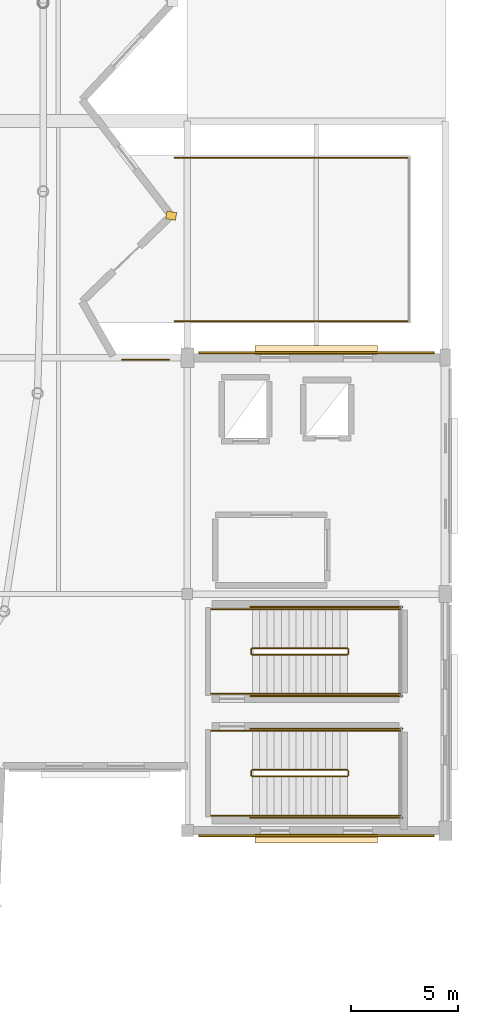
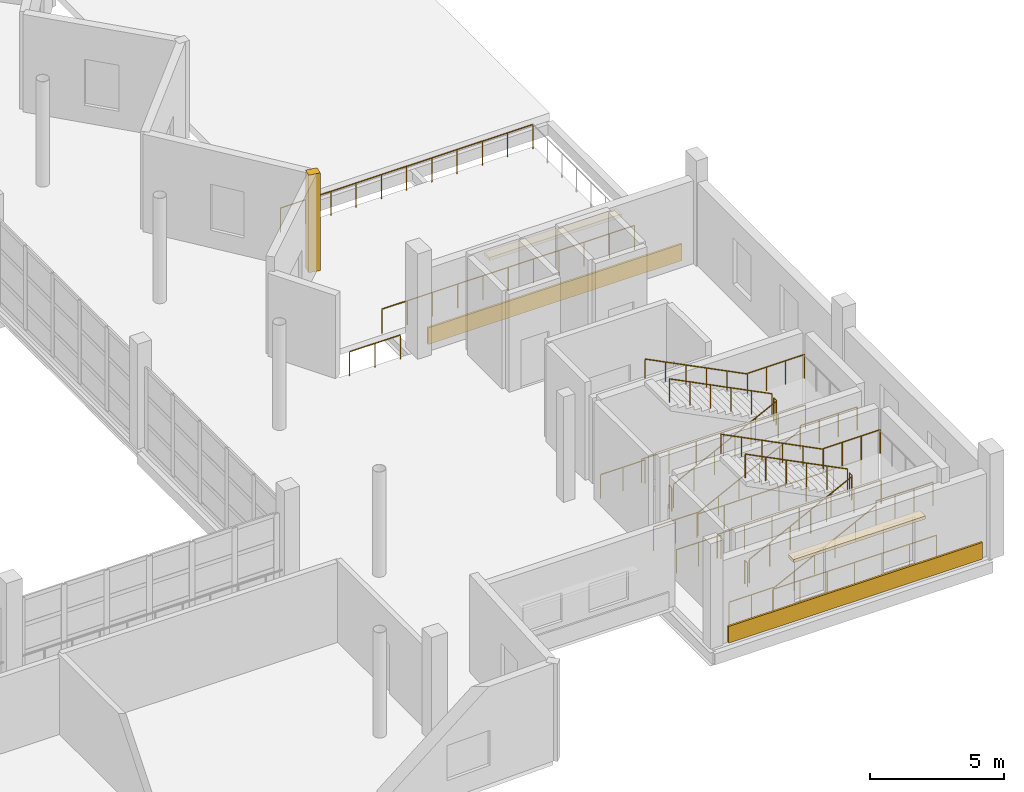
# One storey, part 48 of 53: 27 railings, 5 coverings.
"""IFC4 building model written with IfcOpenShell, lengths in metres."""

from ifc_helpers import new_model, si_unit, direction, frame, origin, origin_2d, place, context, subcontext, project, spatial, rectangle, circle, extrude, material, layer, layer_set, type_object, element, save


model = new_model("IFC4")

# Units and contexts
model_context = context("Model", 3, precision=1e-05, world=origin(), true_north=direction((0.0, 1.0)))
body_context = subcontext(model_context, "Body", "Model", "MODEL_VIEW")
ifc_project = project(units=[si_unit("LENGTHUNIT", "METRE"), si_unit("AREAUNIT", "SQUARE_METRE"), si_unit("VOLUMEUNIT", "CUBIC_METRE"), si_unit("PLANEANGLEUNIT", "RADIAN"), si_unit("MASSUNIT", "GRAM", prefix="KILO")], contexts=[model_context])

# Site, building, storey
site_placement = place(None, origin())
site = spatial("IfcSite", under=ifc_project, at=site_placement, CompositionType="ELEMENT")
building_placement = place(site_placement, origin())
building = spatial("IfcBuilding", under=site, at=building_placement, Name="Luwafu Chhajja Arena", CompositionType="ELEMENT")
storey_placement = place(building_placement, frame((0.0, 0.0, 19.5)))
storey = spatial("IfcBuildingStorey", under=building, at=storey_placement, Name="L04", CompositionType="ELEMENT", Elevation=19.5)

# Coverings
ifc_material_1 = material(Name="Red laterite sandstone cladding", Category="masonry")
ifc_layer = layer(ifc_material_1, 0.074951171875, Name="Red laterite sandstone cladding")
ifc_layer_set = layer_set([ifc_layer], Name="Red laterite sandstone cladding")
covering_type = type_object("IfcCoveringType", Name="Dressed Red-Laterite Sandstone Cladding", PredefinedType="CLADDING", material=ifc_layer_set)
covering_1_placement = place(storey_placement, frame((151.249755859375, 39.603759765625, 0.0), z_axis=(0.0, 0.0, 1.0), x_axis=(0.982532090849, -0.186093230539, 0.0)))
element("IfcCovering", 1, at=covering_1_placement, inside=storey, type_object=covering_type, Name="L04 Pleated Bowl Sandstone Ridge Fin 32", PredefinedType="CLADDING", context=body_context, shape_type="SweptSolid", body=[
    extrude(rectangle(XDim=0.4599609375, YDim=0.360107421875, at=origin_2d()), origin(), (0.0, 0.0, 1.0), 4.455078125),
])
covering_2_placement = place(storey_placement, frame((158.0, 10.76806640625, 0.0), z_axis=(0.0, 0.0, 1.0), x_axis=(1.0, 0.0, 0.0)))
element("IfcCovering", 2, at=covering_2_placement, inside=storey, type_object=covering_type, Name="L04 Red-Laterite Sandstone Plinth Cladding 118", PredefinedType="CLADDING", context=body_context, shape_type="SweptSolid", body=[
    extrude(rectangle(XDim=10.9599609375, YDim=0.0849609375, at=origin_2d()), origin(), (0.0, 0.0, 1.0), 0.760009765625),
])
covering_3_placement = place(storey_placement, frame((158.0, 10.639892578125, 2.93017578125), z_axis=(0.0, 0.0, 1.0), x_axis=(1.0, 0.0, 0.0)))
element("IfcCovering", 3, at=covering_3_placement, inside=storey, type_object=covering_type, Name="L04 Mughal Sandstone Window Chhajja Hood 0110", PredefinedType="CLADDING", context=body_context, shape_type="SweptSolid", body=[
    extrude(rectangle(XDim=5.703369140625, YDim=0.419921875, at=origin_2d()), origin(), (0.0, 0.0, 1.0), 0.139892578125),
])
covering_4_placement = place(storey_placement, frame((158.0, 33.23193359375, 0.0), z_axis=(0.0, 0.0, 1.0), x_axis=(1.0, 0.0, 0.0)))
element("IfcCovering", 4, at=covering_4_placement, inside=storey, type_object=covering_type, Name="L04 Red-Laterite Sandstone Plinth Cladding 120", PredefinedType="CLADDING", context=body_context, shape_type="SweptSolid", body=[
    extrude(rectangle(XDim=10.9599609375, YDim=0.0849609375, at=origin_2d()), origin(), (0.0, 0.0, 1.0), 0.760009765625),
])
covering_5_placement = place(storey_placement, frame((158.0, 33.360107421875, 2.93017578125), z_axis=(0.0, 0.0, 1.0), x_axis=(1.0, 0.0, 0.0)))
element("IfcCovering", 5, at=covering_5_placement, inside=storey, type_object=covering_type, Name="L04 Mughal Sandstone Window Chhajja Hood 0112", PredefinedType="CLADDING", context=body_context, shape_type="SweptSolid", body=[
    extrude(rectangle(XDim=5.703369140625, YDim=0.419921875, at=origin_2d()), origin(), (0.0, 0.0, 1.0), 0.139892578125),
])

# Railings
ifc_material_2 = material(Name="Stainless steel handrail", Category="steel")
railing_type_1 = type_object("IfcRailingType", Name="Stair Pitch Wall Handrail 920", PredefinedType="HANDRAIL", material=ifc_material_2)
railing_1_placement = place(storey_placement, frame((155.02001953125, 11.699951171875, 0.17138671875)))
element("IfcRailing", 6, at=railing_1_placement, inside=storey, type_object=railing_type_1, Name="L04 ST-03 stair handrail 1", PredefinedType="HANDRAIL", context=body_context, shape_type="SweptSolid", body=[
    extrude(circle(Radius=0.02392578125, at=origin_2d()), frame((0.0, 0.0, 0.8759765625), z_axis=(0.89292277971, 0.0, 0.450209850486), x_axis=(0.0, 1.0, 0.0)), (0.0, 0.0, 1.0), 4.949951171875),
    extrude(circle(Radius=0.02099609375, at=origin_2d()), origin(), (0.0, 0.0, 1.0), 0.851806640625),
    extrude(circle(Radius=0.02099609375, at=origin_2d()), frame((0.884033203125, 0.0, 0.44580078125)), (0.0, 0.0, 1.0), 0.851806640625),
    extrude(circle(Radius=0.02099609375, at=origin_2d()), frame((1.76806640625, 0.0, 0.891357421875)), (0.0, 0.0, 1.0), 0.851806640625),
    extrude(circle(Radius=0.02099609375, at=origin_2d()), frame((2.65185546875, 0.0, 1.337158203125)), (0.0, 0.0, 1.0), 0.851806640625),
    extrude(circle(Radius=0.02099609375, at=origin_2d()), frame((3.535888671875, 0.0, 1.78271484375)), (0.0, 0.0, 1.0), 0.851806640625),
    extrude(circle(Radius=0.02099609375, at=origin_2d()), frame((4.419921875, 0.0, 2.228515625)), (0.0, 0.0, 1.0), 0.851806640625),
])
railing_2_placement = place(storey_placement, frame((159.43994140625, 15.639892578125, 2.571533203125)))
element("IfcRailing", 7, at=railing_2_placement, inside=storey, type_object=railing_type_1, Name="L04 ST-03 stair handrail 2", PredefinedType="HANDRAIL", context=body_context, shape_type="SweptSolid", body=[
    extrude(circle(Radius=0.02392578125, at=origin_2d()), frame((0.0, 0.0, 0.8759765625), z_axis=(-0.89292277971, 0.0, 0.450209850486), x_axis=(0.0, -1.0, 0.0)), (0.0, 0.0, 1.0), 4.949951171875),
    extrude(circle(Radius=0.02099609375, at=origin_2d()), origin(), (0.0, 0.0, 1.0), 0.851806640625),
    extrude(circle(Radius=0.02099609375, at=origin_2d()), frame((-0.884033203125, 0.0, 0.44580078125)), (0.0, 0.0, 1.0), 0.851806640625),
    extrude(circle(Radius=0.02099609375, at=origin_2d()), frame((-1.76806640625, 0.0, 0.891357421875)), (0.0, 0.0, 1.0), 0.851806640625),
    extrude(circle(Radius=0.02099609375, at=origin_2d()), frame((-2.65185546875, 0.0, 1.337158203125)), (0.0, 0.0, 1.0), 0.851806640625),
    extrude(circle(Radius=0.02099609375, at=origin_2d()), frame((-3.535888671875, 0.0, 1.78271484375)), (0.0, 0.0, 1.0), 0.851806640625),
    extrude(circle(Radius=0.02099609375, at=origin_2d()), frame((-4.419921875, 0.0, 2.228515625)), (0.0, 0.0, 1.0), 0.851806640625),
])
railing_3_placement = place(storey_placement, frame((155.02001953125, 17.360107421875, 0.17138671875)))
element("IfcRailing", 8, at=railing_3_placement, inside=storey, type_object=railing_type_1, Name="L04 ST-04 stair handrail 1", PredefinedType="HANDRAIL", context=body_context, shape_type="SweptSolid", body=[
    extrude(circle(Radius=0.02392578125, at=origin_2d()), frame((0.0, 0.0, 0.8759765625), z_axis=(0.89292277971, 0.0, 0.450209850486), x_axis=(0.0, 1.0, 0.0)), (0.0, 0.0, 1.0), 4.949951171875),
    extrude(circle(Radius=0.02099609375, at=origin_2d()), origin(), (0.0, 0.0, 1.0), 0.851806640625),
    extrude(circle(Radius=0.02099609375, at=origin_2d()), frame((0.884033203125, 0.0, 0.44580078125)), (0.0, 0.0, 1.0), 0.851806640625),
    extrude(circle(Radius=0.02099609375, at=origin_2d()), frame((1.76806640625, 0.0, 0.891357421875)), (0.0, 0.0, 1.0), 0.851806640625),
    extrude(circle(Radius=0.02099609375, at=origin_2d()), frame((2.65185546875, 0.0, 1.337158203125)), (0.0, 0.0, 1.0), 0.851806640625),
    extrude(circle(Radius=0.02099609375, at=origin_2d()), frame((3.535888671875, 0.0, 1.78271484375)), (0.0, 0.0, 1.0), 0.851806640625),
    extrude(circle(Radius=0.02099609375, at=origin_2d()), frame((4.419921875, 0.0, 2.228515625)), (0.0, 0.0, 1.0), 0.851806640625),
])
railing_4_placement = place(storey_placement, frame((159.43994140625, 21.300048828125, 2.571533203125)))
element("IfcRailing", 9, at=railing_4_placement, inside=storey, type_object=railing_type_1, Name="L04 ST-04 stair handrail 2", PredefinedType="HANDRAIL", context=body_context, shape_type="SweptSolid", body=[
    extrude(circle(Radius=0.02392578125, at=origin_2d()), frame((0.0, 0.0, 0.8759765625), z_axis=(-0.89292277971, 0.0, 0.450209850486), x_axis=(0.0, -1.0, 0.0)), (0.0, 0.0, 1.0), 4.949951171875),
    extrude(circle(Radius=0.02099609375, at=origin_2d()), origin(), (0.0, 0.0, 1.0), 0.851806640625),
    extrude(circle(Radius=0.02099609375, at=origin_2d()), frame((-0.884033203125, 0.0, 0.44580078125)), (0.0, 0.0, 1.0), 0.851806640625),
    extrude(circle(Radius=0.02099609375, at=origin_2d()), frame((-1.76806640625, 0.0, 0.891357421875)), (0.0, 0.0, 1.0), 0.851806640625),
    extrude(circle(Radius=0.02099609375, at=origin_2d()), frame((-2.65185546875, 0.0, 1.337158203125)), (0.0, 0.0, 1.0), 0.851806640625),
    extrude(circle(Radius=0.02099609375, at=origin_2d()), frame((-3.535888671875, 0.0, 1.78271484375)), (0.0, 0.0, 1.0), 0.851806640625),
    extrude(circle(Radius=0.02099609375, at=origin_2d()), frame((-4.419921875, 0.0, 2.228515625)), (0.0, 0.0, 1.0), 0.851806640625),
])
ifc_material_3 = material(Name="Stainless steel balustrade", Category="steel")
railing_type_2 = type_object("IfcRailingType", Name="Stair and Terrace Guard Balustrade 1100", PredefinedType="BALUSTRADE", material=ifc_material_3)
railing_5_placement = place(storey_placement, frame((155.02001953125, 13.52001953125, 0.17138671875)))
element("IfcRailing", 10, at=railing_5_placement, inside=storey, type_object=railing_type_2, Name="L04 ST-03 stair guard 1", PredefinedType="BALUSTRADE", context=body_context, shape_type="SweptSolid", body=[
    extrude(circle(Radius=0.02392578125, at=origin_2d()), frame((0.0, 0.0, 1.076171875), z_axis=(0.89292277971, 0.0, 0.450209850486), x_axis=(0.0, 1.0, 0.0)), (0.0, 0.0, 1.0), 4.949951171875),
    extrude(circle(Radius=0.02099609375, at=origin_2d()), origin(), (0.0, 0.0, 1.0), 1.052001953125),
    extrude(circle(Radius=0.02099609375, at=origin_2d()), frame((0.884033203125, 0.0, 0.44580078125)), (0.0, 0.0, 1.0), 1.052001953125),
    extrude(circle(Radius=0.02099609375, at=origin_2d()), frame((1.76806640625, 0.0, 0.891357421875)), (0.0, 0.0, 1.0), 1.052001953125),
    extrude(circle(Radius=0.02099609375, at=origin_2d()), frame((2.65185546875, 0.0, 1.337158203125)), (0.0, 0.0, 1.0), 1.052001953125),
    extrude(circle(Radius=0.02099609375, at=origin_2d()), frame((3.535888671875, 0.0, 1.78271484375)), (0.0, 0.0, 1.0), 1.052001953125),
    extrude(circle(Radius=0.02099609375, at=origin_2d()), frame((4.419921875, 0.0, 2.228515625)), (0.0, 0.0, 1.0), 1.052001953125),
])
railing_6_placement = place(storey_placement, frame((159.489990234375, 13.570068359375, 2.39990234375)))
element("IfcRailing", 11, at=railing_6_placement, inside=storey, type_object=railing_type_2, Name="L04 ST-03 stair guard 2", PredefinedType="BALUSTRADE", context=body_context, shape_type="SweptSolid", body=[
    extrude(circle(Radius=0.02392578125, at=origin_2d()), frame((0.0, 0.0, 1.076171875), z_axis=(0.0, 1.0, 0.0), x_axis=(-1.0, 0.0, 0.0)), (0.0, 0.0, 1.0), 0.199951171875),
    extrude(circle(Radius=0.02099609375, at=origin_2d()), origin(), (0.0, 0.0, 1.0), 1.052001953125),
    extrude(circle(Radius=0.02099609375, at=origin_2d()), frame((0.0, 0.199951171875, 0.0)), (0.0, 0.0, 1.0), 1.052001953125),
])
for number, where, name in (
    (12, (159.43994140625, 11.699951171875, 2.39990234375), "L04 ST-03 stair guard 3"),
    (13, (159.43994140625, 15.639892578125, 2.39990234375), "L04 ST-03 stair guard 4"),
):
    element("IfcRailing", number, at=place(storey_placement, frame(where)), inside=storey, type_object=railing_type_2, Name=name, PredefinedType="BALUSTRADE", context=body_context, shape_type="SweptSolid", body=[
        extrude(circle(Radius=0.02392578125, at=origin_2d()), frame((0.0, 0.0, 1.076171875), z_axis=(1.0, 0.0, 0.0), x_axis=(0.0, 1.0, 0.0)), (0.0, 0.0, 1.0), 2.4599609375),
        extrude(circle(Radius=0.02099609375, at=origin_2d()), origin(), (0.0, 0.0, 1.0), 1.052001953125),
        extrude(circle(Radius=0.02099609375, at=origin_2d()), frame((0.820068359375, 0.0, 0.0)), (0.0, 0.0, 1.0), 1.052001953125),
        extrude(circle(Radius=0.02099609375, at=origin_2d()), frame((1.639892578125, 0.0, 0.0)), (0.0, 0.0, 1.0), 1.052001953125),
        extrude(circle(Radius=0.02099609375, at=origin_2d()), frame((2.4599609375, 0.0, 0.0)), (0.0, 0.0, 1.0), 1.052001953125),
    ])
railing_7_placement = place(storey_placement, frame((159.43994140625, 13.820068359375, 2.571533203125)))
element("IfcRailing", 14, at=railing_7_placement, inside=storey, type_object=railing_type_2, Name="L04 ST-03 stair guard 6", PredefinedType="BALUSTRADE", context=body_context, shape_type="SweptSolid", body=[
    extrude(circle(Radius=0.02392578125, at=origin_2d()), frame((0.0, 0.0, 1.076171875), z_axis=(-0.89292277971, 0.0, 0.450209850486), x_axis=(0.0, -1.0, 0.0)), (0.0, 0.0, 1.0), 4.949951171875),
    extrude(circle(Radius=0.02099609375, at=origin_2d()), origin(), (0.0, 0.0, 1.0), 1.052001953125),
    extrude(circle(Radius=0.02099609375, at=origin_2d()), frame((-0.884033203125, 0.0, 0.44580078125)), (0.0, 0.0, 1.0), 1.052001953125),
    extrude(circle(Radius=0.02099609375, at=origin_2d()), frame((-1.76806640625, 0.0, 0.891357421875)), (0.0, 0.0, 1.0), 1.052001953125),
    extrude(circle(Radius=0.02099609375, at=origin_2d()), frame((-2.65185546875, 0.0, 1.337158203125)), (0.0, 0.0, 1.0), 1.052001953125),
    extrude(circle(Radius=0.02099609375, at=origin_2d()), frame((-3.535888671875, 0.0, 1.78271484375)), (0.0, 0.0, 1.0), 1.052001953125),
    extrude(circle(Radius=0.02099609375, at=origin_2d()), frame((-4.419921875, 0.0, 2.228515625)), (0.0, 0.0, 1.0), 1.052001953125),
])
railing_8_placement = place(storey_placement, frame((154.969970703125, 13.570068359375, 0.0)))
element("IfcRailing", 15, at=railing_8_placement, inside=storey, type_object=railing_type_2, Name="L04 ST-03 stair guard 7", PredefinedType="BALUSTRADE", context=body_context, shape_type="SweptSolid", body=[
    extrude(circle(Radius=0.02392578125, at=origin_2d()), frame((0.0, 0.0, 1.076171875), z_axis=(0.0, 1.0, 0.0), x_axis=(-1.0, 0.0, 0.0)), (0.0, 0.0, 1.0), 0.199951171875),
    extrude(circle(Radius=0.02099609375, at=origin_2d()), origin(), (0.0, 0.0, 1.0), 1.052001953125),
    extrude(circle(Radius=0.02099609375, at=origin_2d()), frame((0.0, 0.199951171875, 0.0)), (0.0, 0.0, 1.0), 1.052001953125),
])
for number, where, name in (
    (16, (153.10009765625, 11.699951171875, 0.0), "L04 ST-03 stair guard 8"),
    (17, (153.10009765625, 15.639892578125, 0.0), "L04 ST-03 stair guard 9"),
):
    element("IfcRailing", number, at=place(storey_placement, frame(where)), inside=storey, type_object=railing_type_2, Name=name, PredefinedType="BALUSTRADE", context=body_context, shape_type="SweptSolid", body=[
        extrude(circle(Radius=0.02392578125, at=origin_2d()), frame((0.0, 0.0, 1.076171875), z_axis=(1.0, 0.0, 0.0), x_axis=(0.0, 1.0, 0.0)), (0.0, 0.0, 1.0), 1.919921875),
        extrude(circle(Radius=0.02099609375, at=origin_2d()), origin(), (0.0, 0.0, 1.0), 1.052001953125),
        extrude(circle(Radius=0.02099609375, at=origin_2d()), frame((0.9599609375, 0.0, 0.0)), (0.0, 0.0, 1.0), 1.052001953125),
        extrude(circle(Radius=0.02099609375, at=origin_2d()), frame((1.919921875, 0.0, 0.0)), (0.0, 0.0, 1.0), 1.052001953125),
    ])
for number, where, name in (
    (18, (154.919921875, 11.60009765625, 0.0), "L04 ST-03 stair guard 10"),
    (19, (154.919921875, 15.739990234375, 0.0), "L04 ST-03 stair guard 11"),
):
    element("IfcRailing", number, at=place(storey_placement, frame(where)), inside=storey, type_object=railing_type_2, Name=name, PredefinedType="BALUSTRADE", context=body_context, shape_type="SweptSolid", body=[
        extrude(circle(Radius=0.02392578125, at=origin_2d()), frame((0.0, 0.0, 1.076171875), z_axis=(1.0, 0.0, 0.0), x_axis=(0.0, 1.0, 0.0)), (0.0, 0.0, 1.0), 7.080078125),
        extrude(circle(Radius=0.02099609375, at=origin_2d()), origin(), (0.0, 0.0, 1.0), 1.052001953125),
        extrude(circle(Radius=0.02099609375, at=origin_2d()), frame((1.179931640625, 0.0, 0.0)), (0.0, 0.0, 1.0), 1.052001953125),
        extrude(circle(Radius=0.02099609375, at=origin_2d()), frame((2.360107421875, 0.0, 0.0)), (0.0, 0.0, 1.0), 1.052001953125),
        extrude(circle(Radius=0.02099609375, at=origin_2d()), frame((3.5400390625, 0.0, 0.0)), (0.0, 0.0, 1.0), 1.052001953125),
        extrude(circle(Radius=0.02099609375, at=origin_2d()), frame((4.719970703125, 0.0, 0.0)), (0.0, 0.0, 1.0), 1.052001953125),
        extrude(circle(Radius=0.02099609375, at=origin_2d()), frame((5.900146484375, 0.0, 0.0)), (0.0, 0.0, 1.0), 1.052001953125),
        extrude(circle(Radius=0.02099609375, at=origin_2d()), frame((7.080078125, 0.0, 0.0)), (0.0, 0.0, 1.0), 1.052001953125),
    ])
railing_9_placement = place(storey_placement, frame((155.02001953125, 19.179931640625, 0.17138671875)))
element("IfcRailing", 20, at=railing_9_placement, inside=storey, type_object=railing_type_2, Name="L04 ST-04 stair guard 1", PredefinedType="BALUSTRADE", context=body_context, shape_type="SweptSolid", body=[
    extrude(circle(Radius=0.02392578125, at=origin_2d()), frame((0.0, 0.0, 1.076171875), z_axis=(0.89292277971, 0.0, 0.450209850486), x_axis=(0.0, 1.0, 0.0)), (0.0, 0.0, 1.0), 4.949951171875),
    extrude(circle(Radius=0.02099609375, at=origin_2d()), origin(), (0.0, 0.0, 1.0), 1.052001953125),
    extrude(circle(Radius=0.02099609375, at=origin_2d()), frame((0.884033203125, 0.0, 0.44580078125)), (0.0, 0.0, 1.0), 1.052001953125),
    extrude(circle(Radius=0.02099609375, at=origin_2d()), frame((1.76806640625, 0.0, 0.891357421875)), (0.0, 0.0, 1.0), 1.052001953125),
    extrude(circle(Radius=0.02099609375, at=origin_2d()), frame((2.65185546875, 0.0, 1.337158203125)), (0.0, 0.0, 1.0), 1.052001953125),
    extrude(circle(Radius=0.02099609375, at=origin_2d()), frame((3.535888671875, 0.0, 1.78271484375)), (0.0, 0.0, 1.0), 1.052001953125),
    extrude(circle(Radius=0.02099609375, at=origin_2d()), frame((4.419921875, 0.0, 2.228515625)), (0.0, 0.0, 1.0), 1.052001953125),
])
railing_10_placement = place(storey_placement, frame((159.489990234375, 19.22998046875, 2.39990234375)))
element("IfcRailing", 21, at=railing_10_placement, inside=storey, type_object=railing_type_2, Name="L04 ST-04 stair guard 2", PredefinedType="BALUSTRADE", context=body_context, shape_type="SweptSolid", body=[
    extrude(circle(Radius=0.02392578125, at=origin_2d()), frame((0.0, 0.0, 1.076171875), z_axis=(0.0, 1.0, 0.0), x_axis=(-1.0, 0.0, 0.0)), (0.0, 0.0, 1.0), 0.199951171875),
    extrude(circle(Radius=0.02099609375, at=origin_2d()), origin(), (0.0, 0.0, 1.0), 1.052001953125),
    extrude(circle(Radius=0.02099609375, at=origin_2d()), frame((0.0, 0.199951171875, 0.0)), (0.0, 0.0, 1.0), 1.052001953125),
])
for number, where, name in (
    (22, (159.43994140625, 17.360107421875, 2.39990234375), "L04 ST-04 stair guard 3"),
    (23, (159.43994140625, 21.300048828125, 2.39990234375), "L04 ST-04 stair guard 4"),
):
    element("IfcRailing", number, at=place(storey_placement, frame(where)), inside=storey, type_object=railing_type_2, Name=name, PredefinedType="BALUSTRADE", context=body_context, shape_type="SweptSolid", body=[
        extrude(circle(Radius=0.02392578125, at=origin_2d()), frame((0.0, 0.0, 1.076171875), z_axis=(1.0, 0.0, 0.0), x_axis=(0.0, 1.0, 0.0)), (0.0, 0.0, 1.0), 2.4599609375),
        extrude(circle(Radius=0.02099609375, at=origin_2d()), origin(), (0.0, 0.0, 1.0), 1.052001953125),
        extrude(circle(Radius=0.02099609375, at=origin_2d()), frame((0.820068359375, 0.0, 0.0)), (0.0, 0.0, 1.0), 1.052001953125),
        extrude(circle(Radius=0.02099609375, at=origin_2d()), frame((1.639892578125, 0.0, 0.0)), (0.0, 0.0, 1.0), 1.052001953125),
        extrude(circle(Radius=0.02099609375, at=origin_2d()), frame((2.4599609375, 0.0, 0.0)), (0.0, 0.0, 1.0), 1.052001953125),
    ])
railing_11_placement = place(storey_placement, frame((159.43994140625, 19.47998046875, 2.571533203125)))
element("IfcRailing", 24, at=railing_11_placement, inside=storey, type_object=railing_type_2, Name="L04 ST-04 stair guard 6", PredefinedType="BALUSTRADE", context=body_context, shape_type="SweptSolid", body=[
    extrude(circle(Radius=0.02392578125, at=origin_2d()), frame((0.0, 0.0, 1.076171875), z_axis=(-0.89292277971, 0.0, 0.450209850486), x_axis=(0.0, -1.0, 0.0)), (0.0, 0.0, 1.0), 4.949951171875),
    extrude(circle(Radius=0.02099609375, at=origin_2d()), origin(), (0.0, 0.0, 1.0), 1.052001953125),
    extrude(circle(Radius=0.02099609375, at=origin_2d()), frame((-0.884033203125, 0.0, 0.44580078125)), (0.0, 0.0, 1.0), 1.052001953125),
    extrude(circle(Radius=0.02099609375, at=origin_2d()), frame((-1.76806640625, 0.0, 0.891357421875)), (0.0, 0.0, 1.0), 1.052001953125),
    extrude(circle(Radius=0.02099609375, at=origin_2d()), frame((-2.65185546875, 0.0, 1.337158203125)), (0.0, 0.0, 1.0), 1.052001953125),
    extrude(circle(Radius=0.02099609375, at=origin_2d()), frame((-3.535888671875, 0.0, 1.78271484375)), (0.0, 0.0, 1.0), 1.052001953125),
    extrude(circle(Radius=0.02099609375, at=origin_2d()), frame((-4.419921875, 0.0, 2.228515625)), (0.0, 0.0, 1.0), 1.052001953125),
])
railing_12_placement = place(storey_placement, frame((154.969970703125, 19.22998046875, 0.0)))
element("IfcRailing", 25, at=railing_12_placement, inside=storey, type_object=railing_type_2, Name="L04 ST-04 stair guard 7", PredefinedType="BALUSTRADE", context=body_context, shape_type="SweptSolid", body=[
    extrude(circle(Radius=0.02392578125, at=origin_2d()), frame((0.0, 0.0, 1.076171875), z_axis=(0.0, 1.0, 0.0), x_axis=(-1.0, 0.0, 0.0)), (0.0, 0.0, 1.0), 0.199951171875),
    extrude(circle(Radius=0.02099609375, at=origin_2d()), origin(), (0.0, 0.0, 1.0), 1.052001953125),
    extrude(circle(Radius=0.02099609375, at=origin_2d()), frame((0.0, 0.199951171875, 0.0)), (0.0, 0.0, 1.0), 1.052001953125),
])
for number, where, name in (
    (26, (153.10009765625, 17.360107421875, 0.0), "L04 ST-04 stair guard 8"),
    (27, (153.10009765625, 21.300048828125, 0.0), "L04 ST-04 stair guard 9"),
):
    element("IfcRailing", number, at=place(storey_placement, frame(where)), inside=storey, type_object=railing_type_2, Name=name, PredefinedType="BALUSTRADE", context=body_context, shape_type="SweptSolid", body=[
        extrude(circle(Radius=0.02392578125, at=origin_2d()), frame((0.0, 0.0, 1.076171875), z_axis=(1.0, 0.0, 0.0), x_axis=(0.0, 1.0, 0.0)), (0.0, 0.0, 1.0), 1.919921875),
        extrude(circle(Radius=0.02099609375, at=origin_2d()), origin(), (0.0, 0.0, 1.0), 1.052001953125),
        extrude(circle(Radius=0.02099609375, at=origin_2d()), frame((0.9599609375, 0.0, 0.0)), (0.0, 0.0, 1.0), 1.052001953125),
        extrude(circle(Radius=0.02099609375, at=origin_2d()), frame((1.919921875, 0.0, 0.0)), (0.0, 0.0, 1.0), 1.052001953125),
    ])
for number, where, name in (
    (28, (154.919921875, 17.260009765625, 0.0), "L04 ST-04 stair guard 10"),
    (29, (154.919921875, 21.39990234375, 0.0), "L04 ST-04 stair guard 11"),
):
    element("IfcRailing", number, at=place(storey_placement, frame(where)), inside=storey, type_object=railing_type_2, Name=name, PredefinedType="BALUSTRADE", context=body_context, shape_type="SweptSolid", body=[
        extrude(circle(Radius=0.02392578125, at=origin_2d()), frame((0.0, 0.0, 1.076171875), z_axis=(1.0, 0.0, 0.0), x_axis=(0.0, 1.0, 0.0)), (0.0, 0.0, 1.0), 7.080078125),
        extrude(circle(Radius=0.02099609375, at=origin_2d()), origin(), (0.0, 0.0, 1.0), 1.052001953125),
        extrude(circle(Radius=0.02099609375, at=origin_2d()), frame((1.179931640625, 0.0, 0.0)), (0.0, 0.0, 1.0), 1.052001953125),
        extrude(circle(Radius=0.02099609375, at=origin_2d()), frame((2.360107421875, 0.0, 0.0)), (0.0, 0.0, 1.0), 1.052001953125),
        extrude(circle(Radius=0.02099609375, at=origin_2d()), frame((3.5400390625, 0.0, 0.0)), (0.0, 0.0, 1.0), 1.052001953125),
        extrude(circle(Radius=0.02099609375, at=origin_2d()), frame((4.719970703125, 0.0, 0.0)), (0.0, 0.0, 1.0), 1.052001953125),
        extrude(circle(Radius=0.02099609375, at=origin_2d()), frame((5.900146484375, 0.0, 0.0)), (0.0, 0.0, 1.0), 1.052001953125),
        extrude(circle(Radius=0.02099609375, at=origin_2d()), frame((7.080078125, 0.0, 0.0)), (0.0, 0.0, 1.0), 1.052001953125),
    ])
railing_13_placement = place(storey_placement, frame((151.39990234375, 34.699951171875, 0.0)))
element("IfcRailing", 30, at=railing_13_placement, inside=storey, type_object=railing_type_2, Name="L04 Overlook Terrace Balustrade 0010", PredefinedType="BALUSTRADE", context=body_context, shape_type="SweptSolid", body=[
    extrude(circle(Radius=0.02392578125, at=origin_2d()), frame((0.0, 0.0, 1.09619140625), z_axis=(1.0, 0.0, 0.0), x_axis=(0.0, 1.0, 0.0)), (0.0, 0.0, 1.0), 10.900146484375),
    extrude(circle(Radius=0.02099609375, at=origin_2d()), origin(), (0.0, 0.0, 1.0), 1.072021484375),
    extrude(circle(Radius=0.02099609375, at=origin_2d()), frame((1.090087890625, 0.0, 0.0)), (0.0, 0.0, 1.0), 1.072021484375),
    extrude(circle(Radius=0.02099609375, at=origin_2d()), frame((2.179931640625, 0.0, 0.0)), (0.0, 0.0, 1.0), 1.072021484375),
    extrude(circle(Radius=0.02099609375, at=origin_2d()), frame((3.27001953125, 0.0, 0.0)), (0.0, 0.0, 1.0), 1.072021484375),
    extrude(circle(Radius=0.02099609375, at=origin_2d()), frame((4.360107421875, 0.0, 0.0)), (0.0, 0.0, 1.0), 1.072021484375),
    extrude(circle(Radius=0.02099609375, at=origin_2d()), frame((5.4501953125, 0.0, 0.0)), (0.0, 0.0, 1.0), 1.072021484375),
    extrude(circle(Radius=0.02099609375, at=origin_2d()), frame((6.5400390625, 0.0, 0.0)), (0.0, 0.0, 1.0), 1.072021484375),
    extrude(circle(Radius=0.02099609375, at=origin_2d()), frame((7.630126953125, 0.0, 0.0)), (0.0, 0.0, 1.0), 1.072021484375),
    extrude(circle(Radius=0.02099609375, at=origin_2d()), frame((8.72021484375, 0.0, 0.0)), (0.0, 0.0, 1.0), 1.072021484375),
    extrude(circle(Radius=0.02099609375, at=origin_2d()), frame((9.81005859375, 0.0, 0.0)), (0.0, 0.0, 1.0), 1.072021484375),
    extrude(circle(Radius=0.02099609375, at=origin_2d()), frame((10.900146484375, 0.0, 0.0)), (0.0, 0.0, 1.0), 1.072021484375),
])
railing_14_placement = place(storey_placement, frame((162.300048828125, 42.300048828125, 0.0)))
element("IfcRailing", 31, at=railing_14_placement, inside=storey, type_object=railing_type_2, Name="L04 Overlook Terrace Balustrade 0012", PredefinedType="BALUSTRADE", context=body_context, shape_type="SweptSolid", body=[
    extrude(circle(Radius=0.02392578125, at=origin_2d()), frame((0.0, 0.0, 1.09619140625), z_axis=(-1.0, 0.0, 0.0), x_axis=(0.0, -1.0, 0.0)), (0.0, 0.0, 1.0), 10.900146484375),
    extrude(circle(Radius=0.02099609375, at=origin_2d()), origin(), (0.0, 0.0, 1.0), 1.072021484375),
    extrude(circle(Radius=0.02099609375, at=origin_2d()), frame((-1.090087890625, 0.0, 0.0)), (0.0, 0.0, 1.0), 1.072021484375),
    extrude(circle(Radius=0.02099609375, at=origin_2d()), frame((-2.179931640625, 0.0, 0.0)), (0.0, 0.0, 1.0), 1.072021484375),
    extrude(circle(Radius=0.02099609375, at=origin_2d()), frame((-3.27001953125, 0.0, 0.0)), (0.0, 0.0, 1.0), 1.072021484375),
    extrude(circle(Radius=0.02099609375, at=origin_2d()), frame((-4.360107421875, 0.0, 0.0)), (0.0, 0.0, 1.0), 1.072021484375),
    extrude(circle(Radius=0.02099609375, at=origin_2d()), frame((-5.4501953125, 0.0, 0.0)), (0.0, 0.0, 1.0), 1.072021484375),
    extrude(circle(Radius=0.02099609375, at=origin_2d()), frame((-6.5400390625, 0.0, 0.0)), (0.0, 0.0, 1.0), 1.072021484375),
    extrude(circle(Radius=0.02099609375, at=origin_2d()), frame((-7.630126953125, 0.0, 0.0)), (0.0, 0.0, 1.0), 1.072021484375),
    extrude(circle(Radius=0.02099609375, at=origin_2d()), frame((-8.72021484375, 0.0, 0.0)), (0.0, 0.0, 1.0), 1.072021484375),
    extrude(circle(Radius=0.02099609375, at=origin_2d()), frame((-9.81005859375, 0.0, 0.0)), (0.0, 0.0, 1.0), 1.072021484375),
    extrude(circle(Radius=0.02099609375, at=origin_2d()), frame((-10.900146484375, 0.0, 0.0)), (0.0, 0.0, 1.0), 1.072021484375),
])
railing_15_placement = place(storey_placement, frame((148.9619140625, 32.89990234375, 0.0)))
element("IfcRailing", 32, at=railing_15_placement, inside=storey, type_object=railing_type_2, Name="L04 Outer Slab Edge Guard 002", PredefinedType="BALUSTRADE", context=body_context, shape_type="SweptSolid", body=[
    extrude(circle(Radius=0.02392578125, at=origin_2d()), frame((0.0, 0.0, 1.09619140625), z_axis=(1.0, 0.0, 0.0), x_axis=(0.0, 1.0, 0.0)), (0.0, 0.0, 1.0), 2.18798828125),
    extrude(circle(Radius=0.02099609375, at=origin_2d()), origin(), (0.0, 0.0, 1.0), 1.072021484375),
    extrude(circle(Radius=0.02099609375, at=origin_2d()), frame((1.093994140625, 0.0, 0.0)), (0.0, 0.0, 1.0), 1.072021484375),
    extrude(circle(Radius=0.02099609375, at=origin_2d()), frame((2.18798828125, 0.0, 0.0)), (0.0, 0.0, 1.0), 1.072021484375),
])

save(model, "model.ifc")
